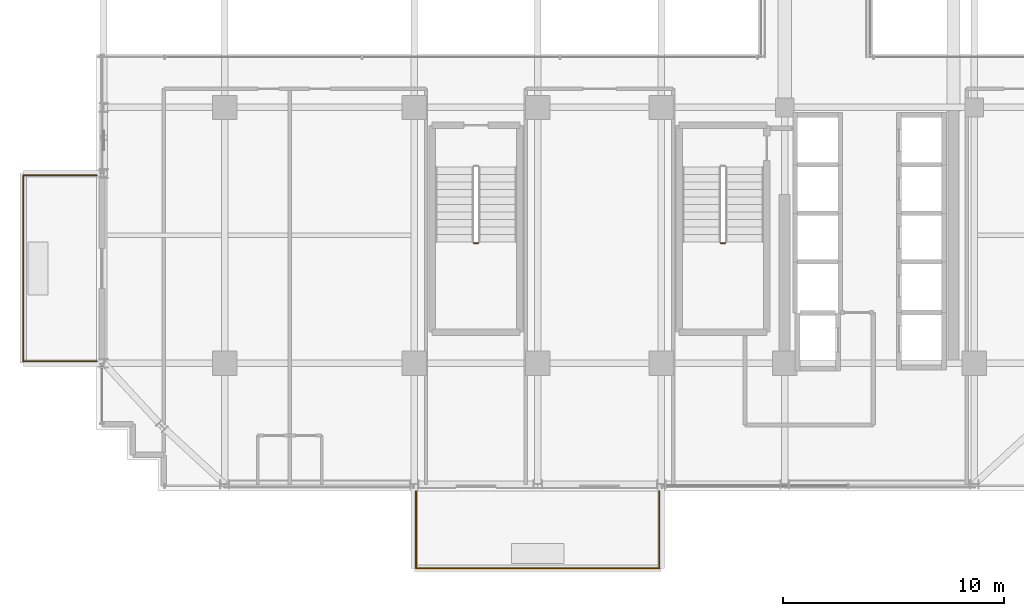
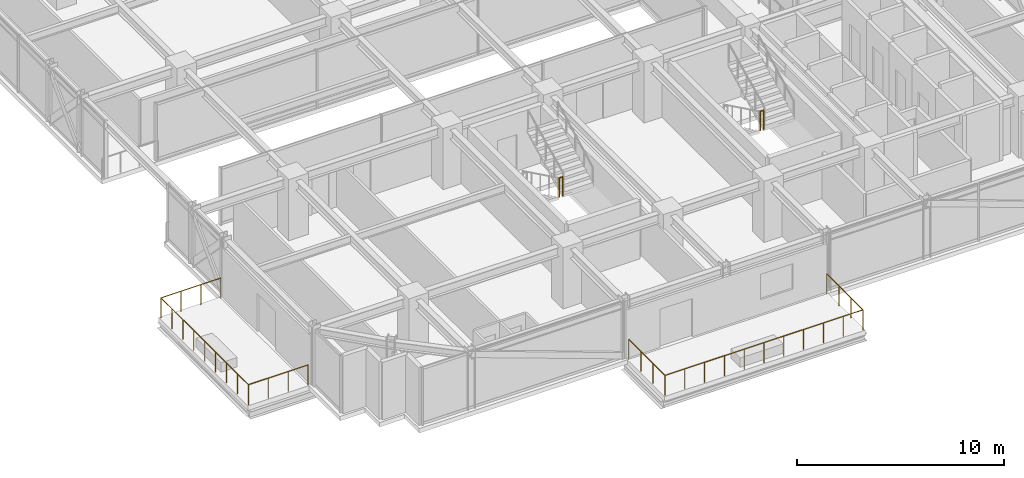
# One storey, part 32 of 35: 4 railings.
"""IFC4 building model written with IfcOpenShell, lengths in metres."""

from ifc_helpers import new_model, si_unit, direction, frame, origin, origin_2d, place, context, subcontext, project, spatial, circle, extrude, material, type_object, element, save


model = new_model("IFC4")

# Units and contexts
model_context = context("Model", 3, precision=1e-05, world=origin(), true_north=direction((0.0, 1.0)))
body_context = subcontext(model_context, "Body", "Model", "MODEL_VIEW")
ifc_project = project(units=[si_unit("LENGTHUNIT", "METRE"), si_unit("AREAUNIT", "SQUARE_METRE"), si_unit("VOLUMEUNIT", "CUBIC_METRE"), si_unit("PLANEANGLEUNIT", "RADIAN"), si_unit("MASSUNIT", "GRAM", prefix="KILO")], contexts=[model_context])

# Site, building, storey
site_placement = place(None, origin())
site = spatial("IfcSite", under=ifc_project, at=site_placement, CompositionType="ELEMENT")
building_placement = place(site_placement, origin())
building = spatial("IfcBuilding", under=site, at=building_placement, Name="Nahalor Promenade Grand Hotel", CompositionType="ELEMENT")
storey_placement = place(building_placement, frame((0.0, 0.0, 185.5)))
storey = spatial("IfcBuildingStorey", under=building, at=storey_placement, Name="L47", CompositionType="ELEMENT", Elevation=185.5)

# Railings
ifc_material_1 = material(Name="Anodised Bronze Aluminium EN AW-6063 T6", Category="aluminium")
railing_type_1 = type_object("IfcRailingType", Name="Bronze Balcony Guardrail 1200 mm", PredefinedType="GUARDRAIL", material=ifc_material_1)
railing_1_placement = place(storey_placement, frame((-8.320068359375, -22.800048828125, 0.0)))
element("IfcRailing", 1, at=railing_1_placement, inside=storey, type_object=railing_type_1, Name="L47 Balcony Guardrail 1", PredefinedType="GUARDRAIL", context=body_context, shape_type="SweptSolid", body=[
    extrude(circle(Radius=0.024048, at=origin_2d()), frame((0.0, 0.0, 1.17578125), z_axis=(0.0, -1.0, 0.0), x_axis=(1.0, 0.0, 0.0)), (0.0, 0.0, 1.0), 3.498046875),
    extrude(circle(Radius=0.024048, at=origin_2d()), frame((0.001953125, -3.5, 1.17578125), z_axis=(1.0, 0.0, 0.0), x_axis=(0.0, 1.0, 0.0)), (0.0, 0.0, 1.0), 11.0361328125),
    extrude(circle(Radius=0.024048, at=origin_2d()), frame((11.0400390625, -3.498046875, 1.17578125), z_axis=(0.0, 1.0, 0.0), x_axis=(-1.0, 0.0, 0.0)), (0.0, 0.0, 1.0), 3.498046875),
    extrude(circle(Radius=0.020996, at=origin_2d()), origin(), (0.0, 0.0, 1.0), 1.14990234375),
    extrude(circle(Radius=0.020996, at=origin_2d()), frame((0.0, -1.166748046875, 0.0)), (0.0, 0.0, 1.0), 1.14990234375),
    extrude(circle(Radius=0.020996, at=origin_2d()), frame((0.0, -2.333251953125, 0.0)), (0.0, 0.0, 1.0), 1.14990234375),
    extrude(circle(Radius=0.020996, at=origin_2d()), frame((0.0, -3.5, 0.0)), (0.0, 0.0, 1.0), 1.14990234375),
    extrude(circle(Radius=0.020996, at=origin_2d()), frame((1.10400390625, -3.5, 0.0)), (0.0, 0.0, 1.0), 1.14990234375),
    extrude(circle(Radius=0.020996, at=origin_2d()), frame((2.2080078125, -3.5, 0.0)), (0.0, 0.0, 1.0), 1.14990234375),
    extrude(circle(Radius=0.020996, at=origin_2d()), frame((3.31201171875, -3.5, 0.0)), (0.0, 0.0, 1.0), 1.14990234375),
    extrude(circle(Radius=0.020996, at=origin_2d()), frame((4.416015625, -3.5, 0.0)), (0.0, 0.0, 1.0), 1.14990234375),
    extrude(circle(Radius=0.020996, at=origin_2d()), frame((5.52001953125, -3.5, 0.0)), (0.0, 0.0, 1.0), 1.14990234375),
    extrude(circle(Radius=0.020996, at=origin_2d()), frame((6.6240234375, -3.5, 0.0)), (0.0, 0.0, 1.0), 1.14990234375),
    extrude(circle(Radius=0.020996, at=origin_2d()), frame((7.72802734375, -3.5, 0.0)), (0.0, 0.0, 1.0), 1.14990234375),
    extrude(circle(Radius=0.020996, at=origin_2d()), frame((8.83203125, -3.5, 0.0)), (0.0, 0.0, 1.0), 1.14990234375),
    extrude(circle(Radius=0.020996, at=origin_2d()), frame((9.93603515625, -3.5, 0.0)), (0.0, 0.0, 1.0), 1.14990234375),
    extrude(circle(Radius=0.020996, at=origin_2d()), frame((11.0400390625, -3.5, 0.0)), (0.0, 0.0, 1.0), 1.14990234375),
    extrude(circle(Radius=0.020996, at=origin_2d()), frame((11.0400390625, -2.333251953125, 0.0)), (0.0, 0.0, 1.0), 1.14990234375),
    extrude(circle(Radius=0.020996, at=origin_2d()), frame((11.0400390625, -1.166748046875, 0.0)), (0.0, 0.0, 1.0), 1.14990234375),
    extrude(circle(Radius=0.020996, at=origin_2d()), frame((11.0400390625, 0.0, 0.0)), (0.0, 0.0, 1.0), 1.14990234375),
])
railing_2_placement = place(storey_placement, frame((-22.800048828125, -16.919921875, 0.0)))
element("IfcRailing", 2, at=railing_2_placement, inside=storey, type_object=railing_type_1, Name="L47 Balcony Guardrail 2", PredefinedType="GUARDRAIL", context=body_context, shape_type="SweptSolid", body=[
    extrude(circle(Radius=0.024048, at=origin_2d()), frame((0.0, 0.0, 1.17578125), z_axis=(-1.0, 0.0, 0.0), x_axis=(0.0, -1.0, 0.0)), (0.0, 0.0, 1.0), 3.327880859375),
    extrude(circle(Radius=0.024048, at=origin_2d()), frame((-3.329833984375, 0.001953125, 1.17578125), z_axis=(0.0, 1.0, 0.0), x_axis=(-1.0, 0.0, 0.0)), (0.0, 0.0, 1.0), 8.43603515625),
    extrude(circle(Radius=0.024048, at=origin_2d()), frame((-3.327880859375, 8.43994140625, 1.17578125), z_axis=(1.0, 0.0, 0.0), x_axis=(0.0, 1.0, 0.0)), (0.0, 0.0, 1.0), 3.327880859375),
    extrude(circle(Radius=0.020996, at=origin_2d()), origin(), (0.0, 0.0, 1.0), 1.14990234375),
    extrude(circle(Radius=0.020996, at=origin_2d()), frame((-1.10986328125, 0.0, 0.0)), (0.0, 0.0, 1.0), 1.14990234375),
    extrude(circle(Radius=0.020996, at=origin_2d()), frame((-2.219970703125, 0.0, 0.0)), (0.0, 0.0, 1.0), 1.14990234375),
    extrude(circle(Radius=0.020996, at=origin_2d()), frame((-3.329833984375, 0.0, 0.0)), (0.0, 0.0, 1.0), 1.14990234375),
    extrude(circle(Radius=0.020996, at=origin_2d()), frame((-3.329833984375, 1.054931640625, 0.0)), (0.0, 0.0, 1.0), 1.14990234375),
    extrude(circle(Radius=0.020996, at=origin_2d()), frame((-3.329833984375, 2.10986328125, 0.0)), (0.0, 0.0, 1.0), 1.14990234375),
    extrude(circle(Radius=0.020996, at=origin_2d()), frame((-3.329833984375, 3.1650390625, 0.0)), (0.0, 0.0, 1.0), 1.14990234375),
    extrude(circle(Radius=0.020996, at=origin_2d()), frame((-3.329833984375, 4.219970703125, 0.0)), (0.0, 0.0, 1.0), 1.14990234375),
    extrude(circle(Radius=0.020996, at=origin_2d()), frame((-3.329833984375, 5.27490234375, 0.0)), (0.0, 0.0, 1.0), 1.14990234375),
    extrude(circle(Radius=0.020996, at=origin_2d()), frame((-3.329833984375, 6.330078125, 0.0)), (0.0, 0.0, 1.0), 1.14990234375),
    extrude(circle(Radius=0.020996, at=origin_2d()), frame((-3.329833984375, 7.385009765625, 0.0)), (0.0, 0.0, 1.0), 1.14990234375),
    extrude(circle(Radius=0.020996, at=origin_2d()), frame((-3.329833984375, 8.43994140625, 0.0)), (0.0, 0.0, 1.0), 1.14990234375),
    extrude(circle(Radius=0.020996, at=origin_2d()), frame((-2.219970703125, 8.43994140625, 0.0)), (0.0, 0.0, 1.0), 1.14990234375),
    extrude(circle(Radius=0.020996, at=origin_2d()), frame((-1.10986328125, 8.43994140625, 0.0)), (0.0, 0.0, 1.0), 1.14990234375),
    extrude(circle(Radius=0.020996, at=origin_2d()), frame((0.0, 8.43994140625, 0.0)), (0.0, 0.0, 1.0), 1.14990234375),
])
ifc_material_2 = material(Name="Steel S355JR", Category="steel")
railing_type_2 = type_object("IfcRailingType", Name="Steel Stair Guardrail 1150 mm", PredefinedType="GUARDRAIL", material=ifc_material_2)
for number, where, name in (
    (3, (5.5, -11.550048828125, 1.824951171875), "L47 ST2 stair guard 2"),
    (4, (-5.699951171875, -11.550048828125, 1.824951171875), "L47 ST3 stair guard 2"),
):
    element("IfcRailing", number, at=place(storey_placement, frame(where)), inside=storey, type_object=railing_type_2, Name=name, PredefinedType="GUARDRAIL", context=body_context, shape_type="SweptSolid", body=[
        extrude(circle(Radius=0.024048, at=origin_2d()), frame((0.0, 0.0, 1.1259765625), z_axis=(1.0, 0.0, 0.0), x_axis=(0.0, 1.0, 0.0)), (0.0, 0.0, 1.0), 0.199951171875),
        extrude(circle(Radius=0.020996, at=origin_2d()), origin(), (0.0, 0.0, 1.0), 1.099853515625),
        extrude(circle(Radius=0.020996, at=origin_2d()), frame((0.199951171875, 0.0, 0.0)), (0.0, 0.0, 1.0), 1.099853515625),
    ])

save(model, "model.ifc")
